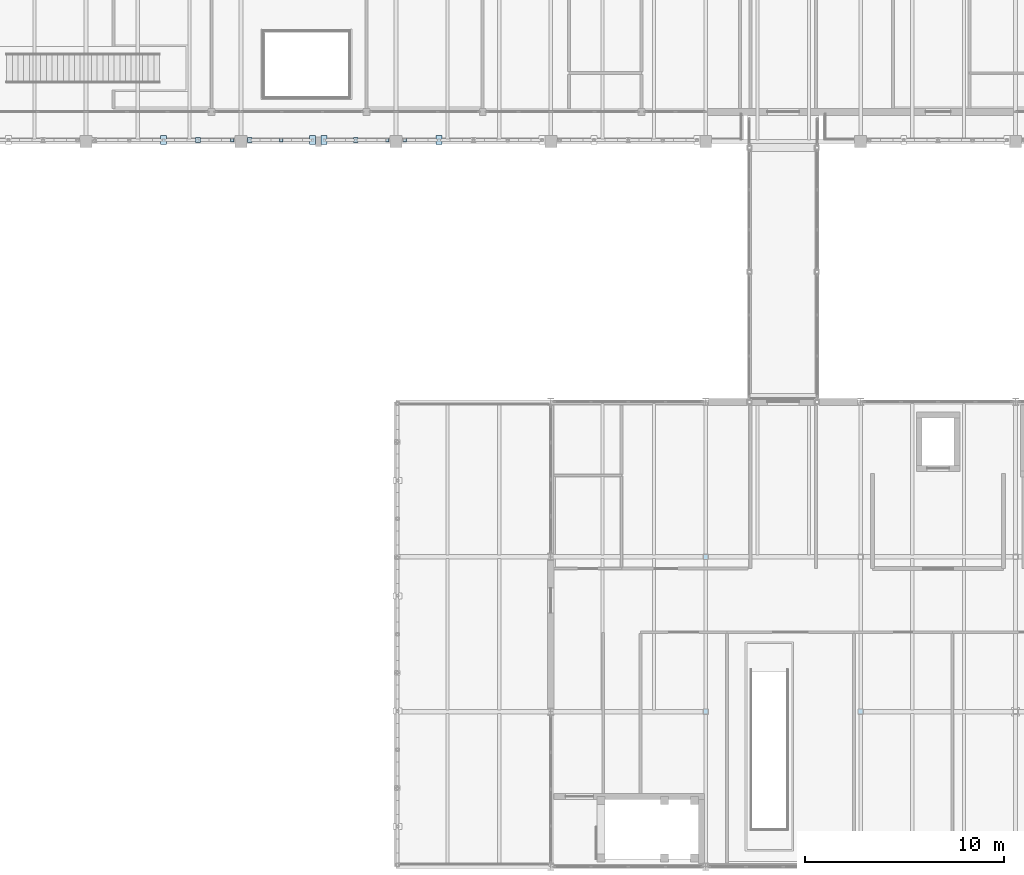
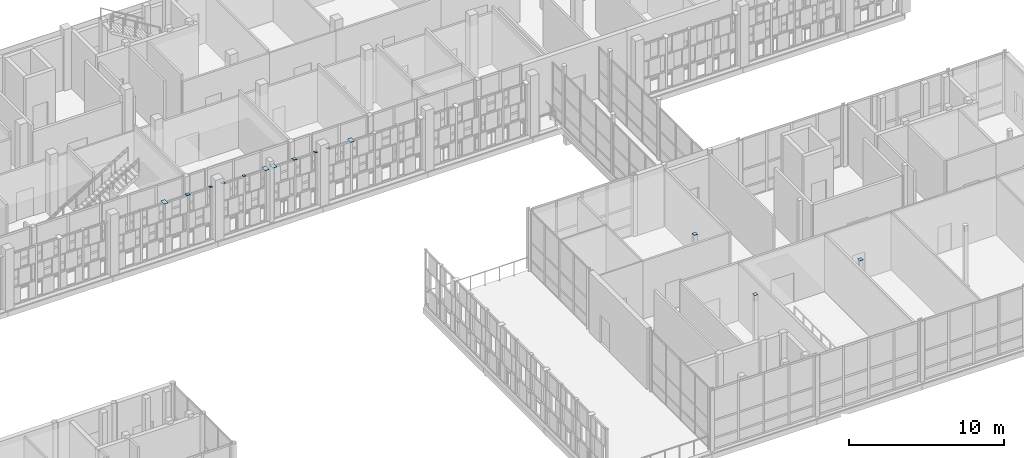
# One storey, part 98 of 138: 14 plates.
"""IFC4 building model written with IfcOpenShell, lengths in metres."""

import ifcopenshell
import ifcopenshell.guid

model = None  # the IFC model being written
_history = None  # IfcOwnerHistory: only IFC2X3 demands one
_inside = {}  # id of a spatial element -> (the spatial element, [elements in it])
_under = {}  # id of a project, library or spatial element -> (it, [spatial elements below it])
_declared = {}  # id of a project -> (the project, [libraries it declares])
_typed = {}  # id of a type object -> (the type object, [elements of that type])
_made_of = {}  # id of a material, layer set ... -> (it, [elements and type objects made of it])


def new_model(schema):
    """Start an empty IFC model of exactly this schema.

    Asked for "IFC4X3", IfcOpenShell would pick the latest addendum, in which some entities
    have other attributes; the version numbers below select the first issue.
    IFC2X3 requires an IfcOwnerHistory on every rooted entity: one is made here for all.
    """
    global model, _history
    if schema == "IFC4X3":
        model = ifcopenshell.file(schema_version=(4, 3, 0, 0))
    else:
        model = ifcopenshell.file(schema=schema)
    _inside.clear()
    _under.clear()
    _declared.clear()
    _typed.clear()
    _made_of.clear()
    _history = None
    if model.schema == "IFC2X3":
        org = make("IfcOrganization", Name="unknown")
        user = make(
            "IfcPersonAndOrganization",
            ThePerson=make("IfcPerson", FamilyName="unknown"),
            TheOrganization=org,
        )
        app = make(
            "IfcApplication",
            ApplicationDeveloper=org,
            Version="unknown",
            ApplicationFullName="unknown",
            ApplicationIdentifier="unknown",
        )
        _history = make(
            "IfcOwnerHistory",
            OwningUser=user,
            OwningApplication=app,
            ChangeAction="ADDED",
            CreationDate=0,
        )
    return model


def make(cls, **values):
    """One entity of the class cls with the attributes given. An attribute that is None is left unset."""
    return model.create_entity(
        cls, **{name: value for name, value in values.items() if value is not None}
    )


def rooted(cls, **values):
    """An entity with a GlobalId (a new one), such as an element, a storey or a relation."""
    return make(cls, GlobalId=ifcopenshell.guid.new(), OwnerHistory=_history, **values)


def si_unit(unit_type, name, prefix=None):
    """IfcSIUnit, for example si_unit("LENGTHUNIT", "METRE", prefix="MILLI")."""
    return make("IfcSIUnit", UnitType=unit_type, Prefix=prefix, Name=name)


def assignment(units):
    """IfcUnitAssignment: the units of a project."""
    return None if units is None else make("IfcUnitAssignment", Units=units)


def point(xyz):
    """IfcCartesianPoint."""
    return None if xyz is None else make("IfcCartesianPoint", Coordinates=xyz)


def direction(xyz):
    """IfcDirection."""
    return None if xyz is None else make("IfcDirection", DirectionRatios=xyz)


def frame(location, z_axis=None, x_axis=None):
    """IfcAxis2Placement3D, a coordinate frame: its origin and axes. An axis left out is left unset."""
    return make(
        "IfcAxis2Placement3D",
        Location=point(location),
        Axis=direction(z_axis),
        RefDirection=direction(x_axis),
    )


def frame_2d(location, x_axis=None):
    """IfcAxis2Placement2D, a coordinate frame in the plane: its origin and x axis."""
    return make(
        "IfcAxis2Placement2D", Location=point(location), RefDirection=direction(x_axis)
    )


def origin():
    """The frame at (0, 0, 0) with its axes left unset."""
    return frame((0.0, 0.0, 0.0))


def origin_2d():
    """The frame at (0, 0) in the plane with its x axis left unset."""
    return frame_2d((0.0, 0.0))


def place(relative_to, where):
    """IfcLocalPlacement: puts the frame where relative to a parent placement (None: the world)."""
    return make(
        "IfcLocalPlacement", PlacementRelTo=relative_to, RelativePlacement=where
    )


def context(
    kind, dimensions, precision=None, world=None, true_north=None, identifier=None
):
    """IfcGeometricRepresentationContext, for example the 3D "Model" context."""
    return make(
        "IfcGeometricRepresentationContext",
        ContextIdentifier=identifier,
        ContextType=kind,
        CoordinateSpaceDimension=dimensions,
        Precision=precision,
        WorldCoordinateSystem=world,
        TrueNorth=true_north,
    )


def subcontext(parent, identifier, kind, view, scale=None):
    """IfcGeometricRepresentationSubContext, for example "Body" below "Model"."""
    return make(
        "IfcGeometricRepresentationSubContext",
        ContextIdentifier=identifier,
        ContextType=kind,
        ParentContext=parent,
        TargetScale=scale,
        TargetView=view,
    )


def project(units=None, contexts=None):
    """IfcProject with its units and contexts."""
    return rooted(
        "IfcProject",
        Name="project",
        RepresentationContexts=contexts,
        UnitsInContext=assignment(units),
    )


def spatial(cls, under=None, at=None, **own):
    """A site, building, storey or space (cls), placed at a placement, below another one or the project."""
    s = rooted(cls, ObjectPlacement=at, **own)
    if under is not None:
        _under.setdefault(under.id(), (under, []))[1].append(s)
    return s


def profile(cls, at=None, kind="AREA", **sizes):
    """A parametric profile (cls). Its sizes go by their IFC names, for example OverallWidth=200.0."""
    return make(cls, ProfileType=kind, Position=at, **sizes)


def rectangle(**sizes):
    """IfcRectangleProfileDef."""
    return profile("IfcRectangleProfileDef", **sizes)


def extrude(swept, where, along, depth):
    """IfcExtrudedAreaSolid: the profile swept, set in the frame where, extruded along a direction by depth."""
    return make(
        "IfcExtrudedAreaSolid",
        SweptArea=swept,
        Position=where,
        ExtrudedDirection=direction(along),
        Depth=depth,
    )


def shape(context_of_items, identifier, shape_type, items):
    """IfcShapeRepresentation: the items that make up one representation, for example the "Body"."""
    return make(
        "IfcShapeRepresentation",
        ContextOfItems=context_of_items,
        RepresentationIdentifier=identifier,
        RepresentationType=shape_type,
        Items=items,
    )


def material(Name=None, Category=None):
    """IfcMaterial."""
    return make("IfcMaterial", Name=Name, Category=Category)


def layer(
    of_material, thickness, ventilated=None, Name=None, Category=None, Priority=None
):
    """IfcMaterialLayer: one layer of a wall or slab, of a material (None: an air gap)."""
    return make(
        "IfcMaterialLayer",
        Material=of_material,
        LayerThickness=thickness,
        IsVentilated=ventilated,
        Name=Name,
        Category=Category,
        Priority=Priority,
    )


def layer_set(layers, Name=None):
    """IfcMaterialLayerSet."""
    return make("IfcMaterialLayerSet", MaterialLayers=layers, LayerSetName=Name)


def made_of(thing, what):
    """Note that an element or type object is made of a material, layer set ...; save() writes the relation."""
    if what is not None:
        _made_of.setdefault(what.id(), (what, []))[1].append(thing)
    return thing


def type_object(cls, material=None, **own):
    """A type object (cls), such as IfcWallType, which elements share."""
    return made_of(rooted(cls, **own), material)


def element(
    cls,
    number,
    at=None,
    inside=None,
    cuts=None,
    type_object=None,
    material=None,
    context=None,
    identifier="Body",
    shape_type=None,
    held_by="IfcProductDefinitionShape",
    body=None,
    shapes=None,
    **own,
):
    """One element of the class cls, such as IfcWall. Its Tag is "e" and its number.

    at: its placement. inside: the storey or other place that contains it. cuts: it is an
    opening in that element (IfcRelVoidsElement). A single representation is given by context,
    identifier, shape_type and body (its items); several are given by shapes. held_by: the class
    of the entity that holds the representations. save() writes the other relations.
    """
    e = rooted(cls, Tag="e%d" % number, ObjectPlacement=at, **own)
    if body is not None:
        shapes = [shape(context, identifier, shape_type, body)]
    if shapes is not None:
        e.Representation = make(held_by, Representations=shapes)
    if inside is not None:
        _inside.setdefault(inside.id(), (inside, []))[1].append(e)
    if cuts is not None:
        rooted(
            "IfcRelVoidsElement", RelatingBuildingElement=cuts, RelatedOpeningElement=e
        )
    if type_object is not None:
        _typed.setdefault(type_object.id(), (type_object, []))[1].append(e)
    return made_of(e, material)


def aggregate(whole, parts):
    """IfcRelAggregates: a whole, such as a stair, and the parts it consists of."""
    return rooted("IfcRelAggregates", RelatingObject=whole, RelatedObjects=parts)


def save(model, path):
    """Write the relations noted so far, then the file.

    IfcRelAggregates (storeys below a building ...), IfcRelContainedInSpatialStructure (elements
    in a storey), IfcRelDefinesByType, IfcRelAssociatesMaterial and IfcRelDeclares: one each for
    every whole, place, type object, material and project.
    """
    for whole, parts in _under.values():
        aggregate(whole, parts)
    for where, things in _inside.values():
        rooted(
            "IfcRelContainedInSpatialStructure",
            RelatedElements=things,
            RelatingStructure=where,
        )
    for kind, things in _typed.values():
        rooted("IfcRelDefinesByType", RelatedObjects=things, RelatingType=kind)
    for what, things in _made_of.values():
        rooted("IfcRelAssociatesMaterial", RelatedObjects=things, RelatingMaterial=what)
    for by, libraries in _declared.values():
        rooted("IfcRelDeclares", RelatingContext=by, RelatedDefinitions=libraries)
    model.write(path)


model = new_model("IFC4")

# Units and contexts
model_context = context("Model", 3, precision=1e-05, world=origin(), true_north=direction((0.0, 1.0)))
body_context = subcontext(model_context, "Body", "Model", "MODEL_VIEW")
ifc_project = project(units=[si_unit("LENGTHUNIT", "METRE"), si_unit("AREAUNIT", "SQUARE_METRE"), si_unit("VOLUMEUNIT", "CUBIC_METRE"), si_unit("PLANEANGLEUNIT", "RADIAN"), si_unit("MASSUNIT", "GRAM", prefix="KILO")], contexts=[model_context])

# Site, building, storey
site_placement = place(None, origin())
site = spatial("IfcSite", under=ifc_project, at=site_placement, CompositionType="ELEMENT")
building_placement = place(site_placement, origin())
building = spatial("IfcBuilding", under=site, at=building_placement, Name="Celorna Specialist Clinic", CompositionType="ELEMENT")
storey_placement = place(building_placement, frame((0.0, 0.0, 4.800048828125)))
storey = spatial("IfcBuildingStorey", under=building, at=storey_placement, Name="L01", CompositionType="ELEMENT", Elevation=4.800048828125)

# Plates
ifc_material = material(Name="Steel S355", Category="steel")
ifc_layer_1 = layer(ifc_material, 0.013916015625, Name="Steel S355")
ifc_layer_set_1 = layer_set([ifc_layer_1], Name="Steel S355")
plate_type_1 = type_object("IfcPlateType", Name="EP-05", PredefinedType="SHEET", material=ifc_layer_set_1)
for number, where, z_axis, x_axis, name in (
    (1, (140.39990234375, 67.800048828125, 4.7998046875), (0.0, 0.0, 1.0), (1.0, 0.0, 0.0), "Hollow column cap plate COL-L01-CT-19-14040-6780"),
    (2, (140.39990234375, 75.60009765625, 4.7998046875), (0.0, 0.0, 1.0), (1.0, 0.0, 0.0), "Hollow column cap plate COL-L01-CT-19-14040-7560"),
    (3, (148.199951171875, 67.800048828125, 4.7998046875), (0.0, 0.0, 1.0), (1.0, 0.0, 0.0), "Hollow column cap plate COL-L01-CT-19-14820-6780"),
):
    element("IfcPlate", number, at=place(storey_placement, frame(where, z_axis=z_axis, x_axis=x_axis)), inside=storey, type_object=plate_type_1, Name=name, PredefinedType="SHEET", context=body_context, shape_type="SweptSolid", body=[
        extrude(rectangle(XDim=0.280029296875, YDim=0.280029296875, at=origin_2d()), origin(), (0.0, 0.0, 1.0), 0.01611328125),
    ])
ifc_layer_2 = layer(ifc_material, 0.011962890625, Name="Steel S355")
ifc_layer_set_2 = layer_set([ifc_layer_2], Name="Steel S355")
plate_type_2 = type_object("IfcPlateType", Name="EP-06", PredefinedType="SHEET", material=ifc_layer_set_2)
for number, where, z_axis, x_axis, name in (
    (4, (116.56005859375, 96.580078125, 4.14013671875), (0.0, 0.0, 1.0), (1.0, 0.0, 0.0), "Screen post cap plate EP-06 #861"),
    (5, (119.02490234375, 96.580078125, 4.14013671875), (0.0, 0.0, 1.0), (1.0, 0.0, 0.0), "Screen post cap plate EP-06 #879"),
    (6, (124.360107421875, 96.580078125, 4.14013671875), (0.0, 0.0, 1.0), (1.0, 0.0, 0.0), "Screen post cap plate EP-06 #891"),
    (7, (125.239990234375, 96.580078125, 4.14013671875), (0.0, 0.0, 1.0), (1.0, 0.0, 0.0), "Screen post cap plate EP-06 #900"),
):
    element("IfcPlate", number, at=place(storey_placement, frame(where, z_axis=z_axis, x_axis=x_axis)), inside=storey, type_object=plate_type_2, Name=name, PredefinedType="SHEET", context=body_context, shape_type="SweptSolid", body=[
        extrude(rectangle(XDim=0.179931640625, YDim=0.179931640625, at=origin_2d()), origin(), (0.0, 0.0, 1.0), 0.011962890625),
    ])
ifc_layer_3 = layer(ifc_material, 0.01611328125, Name="Steel S355")
ifc_layer_set_3 = layer_set([ifc_layer_3], Name="Steel S355")
plate_type_3 = type_object("IfcPlateType", Name="EP-07", PredefinedType="SHEET", material=ifc_layer_set_3)
for number, where, z_axis, x_axis, name in (
    (8, (113.10009765625, 96.580078125, 4.139892578125), (0.0, 0.0, 1.0), (1.0, 0.0, 0.0), "Screen post cap plate EP-07 #859"),
    (9, (120.610107421875, 96.580078125, 4.139892578125), (0.0, 0.0, 1.0), (1.0, 0.0, 0.0), "Screen post cap plate EP-07 #880"),
    (10, (121.18994140625, 96.580078125, 4.139892578125), (0.0, 0.0, 1.0), (1.0, 0.0, 0.0), "Screen post cap plate EP-07 #889"),
    (11, (126.969970703125, 96.580078125, 4.139892578125), (0.0, 0.0, 1.0), (1.0, 0.0, 0.0), "Screen post cap plate EP-07 #901"),
):
    element("IfcPlate", number, at=place(storey_placement, frame(where, z_axis=z_axis, x_axis=x_axis)), inside=storey, type_object=plate_type_3, Name=name, PredefinedType="SHEET", context=body_context, shape_type="SweptSolid", body=[
        extrude(rectangle(XDim=0.300048828125, YDim=0.43994140625, at=origin_2d()), origin(), (0.0, 0.0, 1.0), 0.01611328125),
    ])
ifc_layer_4 = layer(ifc_material, 0.013916015625, Name="Steel S355")
ifc_layer_set_4 = layer_set([ifc_layer_4], Name="Steel S355")
plate_type_4 = type_object("IfcPlateType", Name="EP-08", PredefinedType="SHEET", material=ifc_layer_set_4)
for number, where, z_axis, x_axis, name in (
    (12, (114.830078125, 96.580078125, 4.14013671875), (0.0, 0.0, 1.0), (1.0, 0.0, 0.0), "Screen post cap plate EP-08 #860"),
    (13, (117.43994140625, 96.580078125, 4.14013671875), (0.0, 0.0, 1.0), (1.0, 0.0, 0.0), "Screen post cap plate EP-08 #878"),
    (14, (122.77490234375, 96.580078125, 4.14013671875), (0.0, 0.0, 1.0), (1.0, 0.0, 0.0), "Screen post cap plate EP-08 #890"),
):
    element("IfcPlate", number, at=place(storey_placement, frame(where, z_axis=z_axis, x_axis=x_axis)), inside=storey, type_object=plate_type_4, Name=name, PredefinedType="SHEET", context=body_context, shape_type="SweptSolid", body=[
        extrude(rectangle(XDim=0.239990234375, YDim=0.239990234375, at=origin_2d()), origin(), (0.0, 0.0, 1.0), 0.013916015625),
    ])

save(model, "model.ifc")
